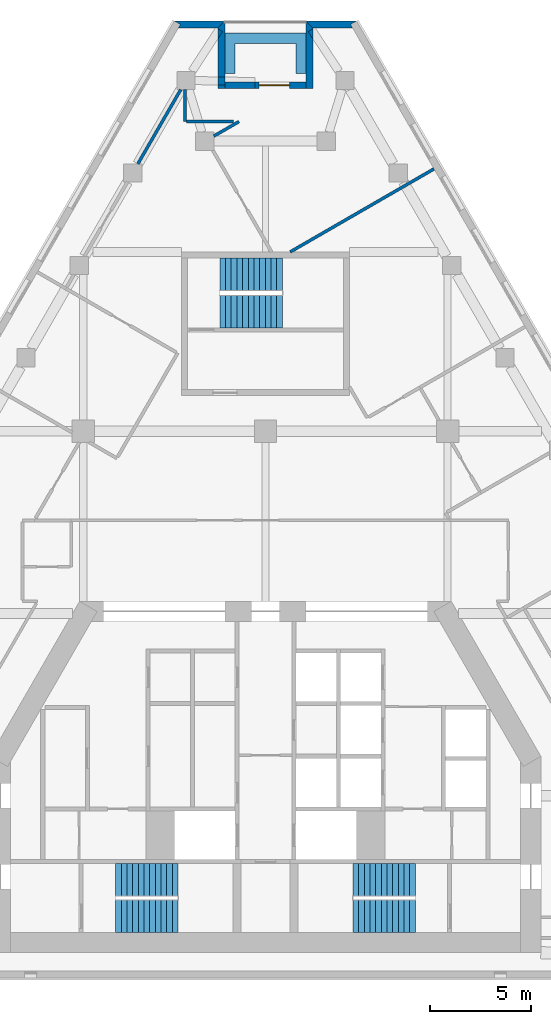
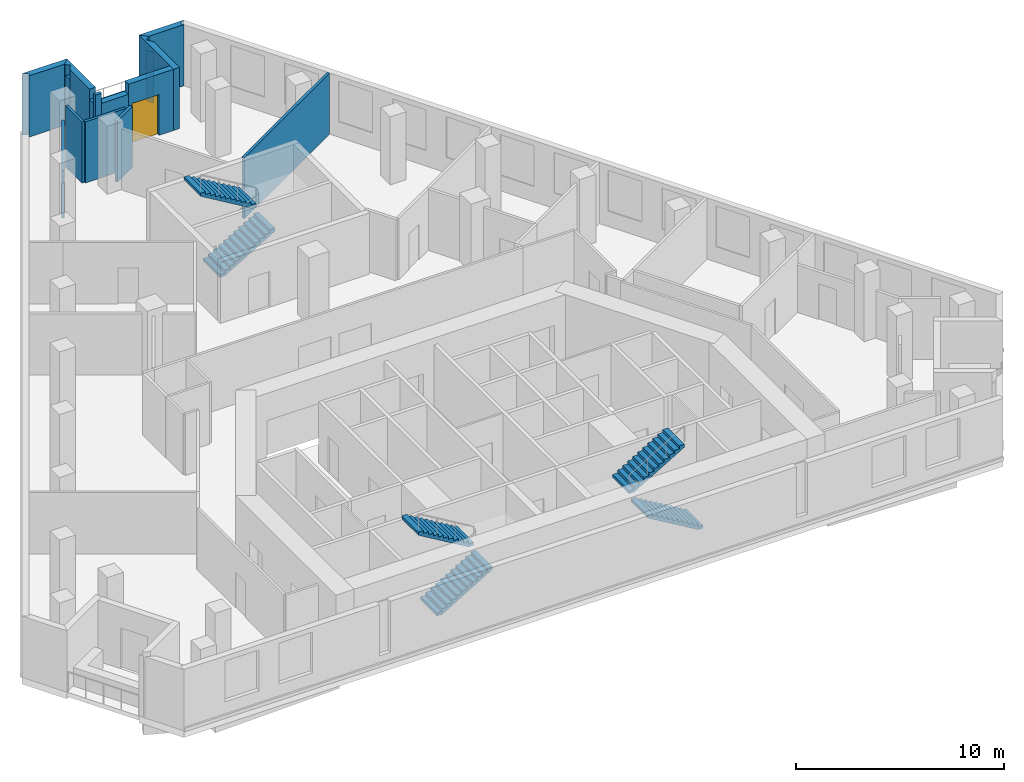
# One storey, part 8 of 9: 16 walls, 6 stair flights, 1 door, 1 opening, 3 elements without a shape of their own.
"""IFC4 building model written with IfcOpenShell, lengths in metres."""

from ifc_helpers import new_model, si_unit, direction, frame, frame_2d, origin, place, context, subcontext, project, spatial, polyline, rectangle, outline, extrude, material, layer, layer_set, type_object, element, fill, aggregate, save


model = new_model("IFC4")

# Units and contexts
model_context = context("Model", 3, precision=1e-05, world=origin(), true_north=direction((0.0, 1.0)))
body_context = subcontext(model_context, "Body", "Model", "MODEL_VIEW")
ifc_project = project(units=[si_unit("LENGTHUNIT", "METRE"), si_unit("AREAUNIT", "SQUARE_METRE"), si_unit("VOLUMEUNIT", "CUBIC_METRE"), si_unit("PLANEANGLEUNIT", "RADIAN"), si_unit("MASSUNIT", "GRAM", prefix="KILO")], contexts=[model_context])

# Site, building, storey
site_placement = place(None, origin())
site = spatial("IfcSite", under=ifc_project, at=site_placement, CompositionType="ELEMENT")
building_placement = place(site_placement, origin())
building = spatial("IfcBuilding", under=site, at=building_placement, Name="Fogline Exchange Tower", CompositionType="ELEMENT")
storey_placement = place(building_placement, frame((0.0, 0.0, 206.10009765625)))
storey = spatial("IfcBuildingStorey", under=building, at=storey_placement, Name="L46", CompositionType="ELEMENT", Elevation=206.10009765625)

# Walls
ifc_material_1 = material(Name="Brick masonry", Category="masonry")
ifc_layer_1 = layer(ifc_material_1, 0.340087890625)
ifc_layer_set_1 = layer_set([ifc_layer_1], Name="FW1")
wall_type_1 = type_object("IfcWallType", Name="FW1", PredefinedType="SOLIDWALL", material=ifc_layer_set_1)
wall_1_placement = place(storey_placement, origin())
element("IfcWall", 1, at=wall_1_placement, inside=storey, type_object=wall_type_1, Name="Brick wall L46 N-c1", PredefinedType="SOLIDWALL", context=body_context, shape_type="SweptSolid", body=[
    extrude(outline(polyline([(1.9990234375, 47.26220703125), (4.5009765625, 47.26220703125), (4.501220703125, 47.26171875), (4.206298828125, 47.09130859375), (4.3046875, 46.921142578125), (2.33984375, 46.921142578125), (1.998779296875, 47.261962890625), (1.9990234375, 47.26220703125)])), origin(), (0.0, 0.0, 1.0), 3.599853515625),
])
wall_2_placement = place(storey_placement, origin())
element("IfcWall", 2, at=wall_2_placement, inside=storey, type_object=wall_type_1, Name="Brick wall L46 N-s1", PredefinedType="SOLIDWALL", context=body_context, shape_type="SweptSolid", body=[
    extrude(outline(polyline([(2.340576171875, 46.37451171875), (2.10693359375, 46.730712890625), (2.340576171875, 46.884033203125), (2.340576171875, 46.37451171875)])), origin(), (0.0, 0.0, 1.0), 3.0),
])
wall_3_placement = place(storey_placement, origin())
element("IfcWall", 3, at=wall_3_placement, inside=storey, type_object=wall_type_1, Name="Brick wall L46 N-s1", PredefinedType="SOLIDWALL", context=body_context, shape_type="SweptSolid", body=[
    extrude(outline(polyline([(1.99951171875, 43.921142578125), (1.99951171875, 47.2626953125), (1.999755859375, 47.262939453125), (2.340576171875, 46.921875), (2.340576171875, 46.884033203125), (2.10693359375, 46.730712890625), (2.340576171875, 46.37451171875), (2.340576171875, 43.921142578125), (1.99951171875, 43.921142578125)])), origin(), (0.0, 0.0, 1.0), 3.599853515625),
])

# Wall, opening, door
wall_4_placement = place(storey_placement, frame((2.0, 44.091552734375, 0.0), z_axis=(0.0, 0.0, 1.0), x_axis=(-1.0, 0.0, 0.0)))
wall_4 = element("IfcWall", 4, at=wall_4_placement, inside=storey, type_object=wall_type_1, Name="Brick wall L46 N-bk", PredefinedType="SOLIDWALL", context=body_context, shape_type="SweptSolid", body=[
    extrude(rectangle(XDim=2.509033203125, YDim=0.340087890625, at=frame_2d((1.25439453125, 0.0))), origin(), (0.0, 0.0, 1.0), 3.599853515625),
])
opening_placement = place(wall_4_placement, frame((0.80908203125, 0.0, 0.0)))
opening = element("IfcOpeningElement", 5, at=opening_placement, cuts=wall_4, Name="Opening T15-E141", PredefinedType="OPENING", context=body_context, shape_type="SweptSolid", body=[
    extrude(rectangle(XDim=1.5, YDim=2.39990234375, at=frame_2d((0.75, 1.199951171875))), frame((0.0, 0.18017578125, 0.0), z_axis=(0.0, -1.0, 0.0), x_axis=(1.0, 0.0, 0.0)), (0.0, 0.0, 1.0), 0.360107421875),
])
ifc_material_2 = material(Name="Aluminium and glass", Category="aluminium")
door_type = type_object("IfcDoorType", Name="ED4", OperationType="SINGLE_SWING_LEFT", PredefinedType="DOOR", material=ifc_material_2)
door_placement = place(opening_placement, frame((1.5, 0.0, 0.0), z_axis=(0.0, 0.0, 1.0), x_axis=(-1.0, 0.0, 0.0)))
door = element("IfcDoor", 6, at=door_placement, inside=storey, type_object=door_type, Name="Balcony door L46 N", OperationType="DOUBLE_DOOR_SINGLE_SWING", OverallHeight=2.39990234375, OverallWidth=1.5, PredefinedType="DOOR", context=body_context, shape_type="SweptSolid", body=[
    extrude(rectangle(XDim=1.5, YDim=2.39990234375, at=frame_2d((0.75, 1.199951171875))), frame((0.0, 0.02490234375, 0.0), z_axis=(0.0, -1.0, 0.0), x_axis=(1.0, 0.0, 0.0)), (0.0, 0.0, 1.0), 0.050048828125),
])
fill(opening, door)

# Walls
wall_5_placement = place(storey_placement, frame((-0.509033203125, 44.091552734375, 0.0), z_axis=(0.0, 0.0, 1.0), x_axis=(-1.0, 0.0, 0.0)))
element("IfcWall", 7, at=wall_5_placement, inside=storey, type_object=wall_type_1, Name="Brick wall L46 N-bk", PredefinedType="SOLIDWALL", context=body_context, shape_type="SweptSolid", body=[
    extrude(rectangle(XDim=1.490966796875, YDim=0.340087890625, at=frame_2d((0.74560546875, 0.0))), origin(), (0.0, 0.0, 1.0), 3.0),
])
wall_6_placement = place(storey_placement, origin())
element("IfcWall", 8, at=wall_6_placement, inside=storey, type_object=wall_type_1, Name="Brick wall L46 N-s2", PredefinedType="SOLIDWALL", context=body_context, shape_type="SweptSolid", body=[
    extrude(outline(polyline([(-2.340576171875, 46.876953125), (-2.119873046875, 46.7333984375), (-2.340576171875, 46.393798828125), (-2.340576171875, 46.876953125)])), origin(), (0.0, 0.0, 1.0), 3.0),
])
wall_7_placement = place(storey_placement, origin())
element("IfcWall", 9, at=wall_7_placement, inside=storey, type_object=wall_type_1, Name="Brick wall L46 N-s2", PredefinedType="SOLIDWALL", context=body_context, shape_type="SweptSolid", body=[
    extrude(outline(polyline([(-2.340576171875, 44.50048828125), (-1.99951171875, 44.494873046875), (-1.99951171875, 44.0947265625), (-2.340576171875, 44.100341796875), (-2.340576171875, 44.50048828125)])), origin(), (0.0, 0.0, 1.0), 3.0),
])
wall_8_placement = place(storey_placement, origin())
element("IfcWall", 10, at=wall_8_placement, inside=storey, type_object=wall_type_1, Name="Brick wall L46 N-s2", PredefinedType="SOLIDWALL", context=body_context, shape_type="SweptSolid", body=[
    extrude(outline(polyline([(-2.340576171875, 43.921142578125), (-2.340576171875, 44.100341796875), (-1.99951171875, 44.0947265625), (-1.99951171875, 43.921142578125), (-2.340576171875, 43.921142578125)])), origin(), (0.0, 0.0, 1.0), 3.599853515625),
])
wall_9_placement = place(storey_placement, origin())
element("IfcWall", 11, at=wall_9_placement, inside=storey, type_object=wall_type_1, Name="Brick wall L46 N-s2", PredefinedType="SOLIDWALL", context=body_context, shape_type="SweptSolid", body=[
    extrude(outline(polyline([(-2.340576171875, 46.393798828125), (-2.119873046875, 46.7333984375), (-2.340576171875, 46.876953125), (-2.340576171875, 46.921875), (-1.999755859375, 47.262939453125), (-1.99951171875, 47.2626953125), (-1.99951171875, 44.494873046875), (-2.340576171875, 44.50048828125), (-2.340576171875, 46.393798828125)])), origin(), (0.0, 0.0, 1.0), 3.599853515625),
])
wall_10_placement = place(storey_placement, origin())
element("IfcWall", 12, at=wall_10_placement, inside=storey, type_object=wall_type_1, Name="Brick wall L46 N-c2", PredefinedType="SOLIDWALL", context=body_context, shape_type="SweptSolid", body=[
    extrude(outline(polyline([(-4.3046875, 46.921142578125), (-4.206298828125, 47.09130859375), (-4.501220703125, 47.26171875), (-4.5009765625, 47.26220703125), (-1.9990234375, 47.26220703125), (-1.998779296875, 47.261962890625), (-2.33984375, 46.921142578125), (-4.3046875, 46.921142578125)])), origin(), (0.0, 0.0, 1.0), 3.599853515625),
])
ifc_material_3 = material(Name="Concrete C30", Category="concrete")
ifc_layer_2 = layer(ifc_material_3, 0.199951171875)
ifc_layer_set_2 = layer_set([ifc_layer_2], Name="PL1")
wall_type_2 = type_object("IfcWallType", Name="PL1", PredefinedType="USERDEFINED", material=ifc_layer_set_2)
wall_11_placement = place(storey_placement, origin())
element("IfcWall", 13, at=wall_11_placement, inside=storey, type_object=wall_type_2, Name="PLANTER balcony L46 N", ObjectType="PLANTER", PredefinedType="USERDEFINED", context=body_context, shape_type="SweptSolid", body=[
    extrude(outline(polyline([(-1.5, 46.66162109375), (-2.0, 46.66162109375), (-2.0, 46.16162109375), (-2.0, 44.66162109375), (-1.5, 44.66162109375), (-1.5, 46.16162109375), (1.5, 46.16162109375), (1.5, 44.66162109375), (2.0, 44.66162109375), (2.0, 46.16162109375), (2.0, 46.66162109375), (1.5, 46.66162109375), (-1.5, 46.66162109375)])), origin(), (0.0, 0.0, 1.0), 1.099853515625),
])
ifc_material_4 = material(Name="Plasterboard demising partition with mineral wool and acoustic board")
ifc_layer_3 = layer(ifc_material_4, 0.14990234375)
ifc_layer_set_3 = layer_set([ifc_layer_3], Name="PW3")
wall_type_3 = type_object("IfcWallType", Name="PW3", PredefinedType="PARTITIONING", material=ifc_layer_set_3)
wall_12_placement = place(storey_placement, frame((1.22119140625, 35.85693359375, 0.0), z_axis=(0.0, 0.0, 1.0), x_axis=(0.866018040531, 0.500012753312, 0.0)))
element("IfcWall", 14, at=wall_12_placement, inside=storey, type_object=wall_type_3, Name="wall-L46-W026", PredefinedType="PARTITIONING", context=body_context, shape_type="SweptSolid", body=[
    extrude(rectangle(XDim=8.201904296875, YDim=0.14990234375, at=frame_2d((4.10107421875, 0.0))), origin(), (0.0, 0.0, 1.0), 3.599853515625),
])
wall_13_placement = place(storey_placement, frame((-2.550048828125, 41.577880859375, 0.0), z_axis=(0.0, 0.0, 1.0), x_axis=(0.866074936473, 0.499914197051, 0.0)))
element("IfcWall", 15, at=wall_13_placement, inside=storey, type_object=wall_type_3, Name="wall-L46-W030", PredefinedType="PARTITIONING", context=body_context, shape_type="SweptSolid", body=[
    extrude(rectangle(XDim=1.432861328125, YDim=0.14990234375, at=frame_2d((0.71630859375, 0.0))), origin(), (0.0, 0.0, 1.0), 3.599853515625),
])
wall_14_placement = place(storey_placement, frame((-6.29931640625, 40.210205078125, 0.0), z_axis=(0.0, 0.0, 1.0), x_axis=(0.499972045304, 0.866041542834, 0.0)))
element("IfcWall", 16, at=wall_14_placement, inside=storey, type_object=wall_type_3, Name="wall-L46-W033", PredefinedType="PARTITIONING", context=body_context, shape_type="SweptSolid", body=[
    extrude(rectangle(XDim=4.233642578125, YDim=0.14990234375, at=frame_2d((2.11669921875, 0.0))), origin(), (0.0, 0.0, 1.0), 2.7998046875),
])
wall_15_placement = place(storey_placement, frame((-3.967529296875, 43.876708984375, 0.0), z_axis=(0.0, 0.0, 1.0), x_axis=(0.0, -1.0, 0.0)))
element("IfcWall", 17, at=wall_15_placement, inside=storey, type_object=wall_type_3, Name="wall-L46-W034", PredefinedType="PARTITIONING", context=body_context, shape_type="SweptSolid", body=[
    extrude(rectangle(XDim=1.58251953125, YDim=0.14990234375, at=frame_2d((0.791259765625, 0.0))), origin(), (0.0, 0.0, 1.0), 3.599853515625),
])
wall_16_placement = place(storey_placement, frame((-3.892578125, 42.294189453125, 0.0), z_axis=(0.0, 0.0, 1.0), x_axis=(1.0, 0.0, 0.0)))
element("IfcWall", 18, at=wall_16_placement, inside=storey, type_object=wall_type_3, Name="wall-L46-W035", PredefinedType="PARTITIONING", context=body_context, shape_type="SweptSolid", body=[
    extrude(rectangle(XDim=2.302978515625, YDim=0.14990234375, at=frame_2d((1.1513671875, 0.0))), origin(), (0.0, 0.0, 1.0), 3.599853515625),
])

# Stair, stair flights
ifc_material_5 = material(Name="Concrete C40", Category="concrete")
stair_type = type_object("IfcStairType", Name="STR24-1667", PredefinedType="HALF_TURN_STAIR", material=ifc_material_5)
stair_1_placement = place(storey_placement, origin())
stair_1 = element("IfcStair", 19, at=stair_1_placement, inside=storey, type_object=stair_type, Name="Stair ST1", PredefinedType="HALF_TURN_STAIR")
stair_flight_type = type_object("IfcStairFlightType", Name="SF12-1667", PredefinedType="STRAIGHT", material=ifc_material_5)
stair_flight_1_placement = place(storey_placement, frame((-7.39990234375, 3.050048828125, 0.0), z_axis=(0.0, 0.0, 1.0), x_axis=(1.0, 0.0, 0.0)))
stair_flight_1 = element("IfcStairFlight", 20, at=stair_flight_1_placement, type_object=stair_flight_type, Name="ST1 flight 1", NumberOfRisers=12, NumberOfTreads=11, PredefinedType="STRAIGHT", RiserHeight=0.166666667, TreadLength=0.28, context=body_context, shape_type="SweptSolid", body=[
    extrude(outline(polyline([(0.0, 0.0), (0.0, 0.166748046875), (0.280029296875, 0.166748046875), (0.280029296875, 0.333251953125), (0.56005859375, 0.333251953125), (0.56005859375, 0.5), (0.840087890625, 0.5), (0.840087890625, 0.666748046875), (1.1201171875, 0.666748046875), (1.1201171875, 0.833251953125), (1.39990234375, 0.833251953125), (1.39990234375, 1.0), (1.679931640625, 1.0), (1.679931640625, 1.166748046875), (1.9599609375, 1.166748046875), (1.9599609375, 1.333251953125), (2.239990234375, 1.333251953125), (2.239990234375, 1.5), (2.52001953125, 1.5), (2.52001953125, 1.666748046875), (2.800048828125, 1.666748046875), (2.800048828125, 1.833251953125), (3.080078125, 1.833251953125), (3.080078125, 2.0), (3.080078125, 1.658935546875), (0.29296875, 0.0), (0.0, 0.0)])), frame((0.0, 0.800048828125, 0.0), z_axis=(0.0, -1.0, 0.0), x_axis=(1.0, 0.0, 0.0)), (0.0, 0.0, 1.0), 1.60009765625),
])
stair_flight_2_placement = place(storey_placement, frame((-4.320068359375, 4.85009765625, 2.0), z_axis=(0.0, 0.0, 1.0), x_axis=(-1.0, 0.0, 0.0)))
stair_flight_2 = element("IfcStairFlight", 21, at=stair_flight_2_placement, type_object=stair_flight_type, Name="ST1 flight 2", NumberOfRisers=12, NumberOfTreads=11, PredefinedType="STRAIGHT", RiserHeight=0.166666667, TreadLength=0.28, context=body_context, shape_type="SweptSolid", body=[
    extrude(outline(polyline([(0.0, 0.0), (0.0, 0.166748046875), (0.280029296875, 0.166748046875), (0.280029296875, 0.333251953125), (0.56005859375, 0.333251953125), (0.56005859375, 0.5), (0.840087890625, 0.5), (0.840087890625, 0.666748046875), (1.1201171875, 0.666748046875), (1.1201171875, 0.833251953125), (1.39990234375, 0.833251953125), (1.39990234375, 1.0), (1.679931640625, 1.0), (1.679931640625, 1.166748046875), (1.9599609375, 1.166748046875), (1.9599609375, 1.333251953125), (2.239990234375, 1.333251953125), (2.239990234375, 1.5), (2.52001953125, 1.5), (2.52001953125, 1.666748046875), (2.800048828125, 1.666748046875), (2.800048828125, 1.833251953125), (3.080078125, 1.833251953125), (3.080078125, 2.0), (3.080078125, 1.658935546875), (0.29296875, 0.0), (0.0, 0.0)])), frame((0.0, 0.800048828125, 0.0), z_axis=(0.0, -1.0, 0.0), x_axis=(1.0, 0.0, 0.0)), (0.0, 0.0, 1.0), 1.60009765625),
])
aggregate(stair_1, [stair_flight_1, stair_flight_2])

stair_2_placement = place(storey_placement, origin())
stair_2 = element("IfcStair", 22, at=stair_2_placement, inside=storey, type_object=stair_type, Name="Stair ST2", PredefinedType="HALF_TURN_STAIR")
stair_flight_3_placement = place(storey_placement, frame((7.39990234375, 3.050048828125, 0.0), z_axis=(0.0, 0.0, 1.0), x_axis=(-1.0, 0.0, 0.0)))
stair_flight_3 = element("IfcStairFlight", 23, at=stair_flight_3_placement, type_object=stair_flight_type, Name="ST2 flight 1", NumberOfRisers=12, NumberOfTreads=11, PredefinedType="STRAIGHT", RiserHeight=0.166666667, TreadLength=0.28, context=body_context, shape_type="SweptSolid", body=[
    extrude(outline(polyline([(0.0, 0.0), (0.0, 0.166748046875), (0.280029296875, 0.166748046875), (0.280029296875, 0.333251953125), (0.56005859375, 0.333251953125), (0.56005859375, 0.5), (0.840087890625, 0.5), (0.840087890625, 0.666748046875), (1.1201171875, 0.666748046875), (1.1201171875, 0.833251953125), (1.39990234375, 0.833251953125), (1.39990234375, 1.0), (1.679931640625, 1.0), (1.679931640625, 1.166748046875), (1.9599609375, 1.166748046875), (1.9599609375, 1.333251953125), (2.239990234375, 1.333251953125), (2.239990234375, 1.5), (2.52001953125, 1.5), (2.52001953125, 1.666748046875), (2.800048828125, 1.666748046875), (2.800048828125, 1.833251953125), (3.080078125, 1.833251953125), (3.080078125, 2.0), (3.080078125, 1.658935546875), (0.29296875, 0.0), (0.0, 0.0)])), frame((0.0, 0.800048828125, 0.0), z_axis=(0.0, -1.0, 0.0), x_axis=(1.0, 0.0, 0.0)), (0.0, 0.0, 1.0), 1.60009765625),
])
stair_flight_4_placement = place(storey_placement, frame((4.320068359375, 4.85009765625, 2.0), z_axis=(0.0, 0.0, 1.0), x_axis=(1.0, 0.0, 0.0)))
stair_flight_4 = element("IfcStairFlight", 24, at=stair_flight_4_placement, type_object=stair_flight_type, Name="ST2 flight 2", NumberOfRisers=12, NumberOfTreads=11, PredefinedType="STRAIGHT", RiserHeight=0.166666667, TreadLength=0.28, context=body_context, shape_type="SweptSolid", body=[
    extrude(outline(polyline([(0.0, 0.0), (0.0, 0.166748046875), (0.280029296875, 0.166748046875), (0.280029296875, 0.333251953125), (0.56005859375, 0.333251953125), (0.56005859375, 0.5), (0.840087890625, 0.5), (0.840087890625, 0.666748046875), (1.1201171875, 0.666748046875), (1.1201171875, 0.833251953125), (1.39990234375, 0.833251953125), (1.39990234375, 1.0), (1.679931640625, 1.0), (1.679931640625, 1.166748046875), (1.9599609375, 1.166748046875), (1.9599609375, 1.333251953125), (2.239990234375, 1.333251953125), (2.239990234375, 1.5), (2.52001953125, 1.5), (2.52001953125, 1.666748046875), (2.800048828125, 1.666748046875), (2.800048828125, 1.833251953125), (3.080078125, 1.833251953125), (3.080078125, 2.0), (3.080078125, 1.658935546875), (0.29296875, 0.0), (0.0, 0.0)])), frame((0.0, 0.800048828125, 0.0), z_axis=(0.0, -1.0, 0.0), x_axis=(1.0, 0.0, 0.0)), (0.0, 0.0, 1.0), 1.60009765625),
])
aggregate(stair_2, [stair_flight_3, stair_flight_4])

stair_3_placement = place(storey_placement, origin())
stair_3 = element("IfcStair", 25, at=stair_3_placement, inside=storey, type_object=stair_type, Name="Stair ST3", PredefinedType="HALF_TURN_STAIR")
stair_flight_5_placement = place(storey_placement, frame((-2.25, 32.906982421875, 0.0), z_axis=(0.0, 0.0, 1.0), x_axis=(1.0, 0.0, 0.0)))
stair_flight_5 = element("IfcStairFlight", 26, at=stair_flight_5_placement, type_object=stair_flight_type, Name="ST3 flight 1", NumberOfRisers=12, NumberOfTreads=11, PredefinedType="STRAIGHT", RiserHeight=0.166666667, TreadLength=0.28, context=body_context, shape_type="SweptSolid", body=[
    extrude(outline(polyline([(0.0, 0.0), (0.0, 0.166748046875), (0.280029296875, 0.166748046875), (0.280029296875, 0.333251953125), (0.56005859375, 0.333251953125), (0.56005859375, 0.5), (0.840087890625, 0.5), (0.840087890625, 0.666748046875), (1.1201171875, 0.666748046875), (1.1201171875, 0.833251953125), (1.39990234375, 0.833251953125), (1.39990234375, 1.0), (1.679931640625, 1.0), (1.679931640625, 1.166748046875), (1.9599609375, 1.166748046875), (1.9599609375, 1.333251953125), (2.239990234375, 1.333251953125), (2.239990234375, 1.5), (2.52001953125, 1.5), (2.52001953125, 1.666748046875), (2.800048828125, 1.666748046875), (2.800048828125, 1.833251953125), (3.080078125, 1.833251953125), (3.080078125, 2.0), (3.080078125, 1.658935546875), (0.29296875, 0.0), (0.0, 0.0)])), frame((0.0, 0.800048828125, 0.0), z_axis=(0.0, -1.0, 0.0), x_axis=(1.0, 0.0, 0.0)), (0.0, 0.0, 1.0), 1.60009765625),
])
stair_flight_6_placement = place(storey_placement, frame((0.830078125, 34.757080078125, 2.0), z_axis=(0.0, 0.0, 1.0), x_axis=(-1.0, 0.0, 0.0)))
stair_flight_6 = element("IfcStairFlight", 27, at=stair_flight_6_placement, type_object=stair_flight_type, Name="ST3 flight 2", NumberOfRisers=12, NumberOfTreads=11, PredefinedType="STRAIGHT", RiserHeight=0.166666667, TreadLength=0.28, context=body_context, shape_type="SweptSolid", body=[
    extrude(outline(polyline([(0.0, 0.0), (0.0, 0.166748046875), (0.280029296875, 0.166748046875), (0.280029296875, 0.333251953125), (0.56005859375, 0.333251953125), (0.56005859375, 0.5), (0.840087890625, 0.5), (0.840087890625, 0.666748046875), (1.1201171875, 0.666748046875), (1.1201171875, 0.833251953125), (1.39990234375, 0.833251953125), (1.39990234375, 1.0), (1.679931640625, 1.0), (1.679931640625, 1.166748046875), (1.9599609375, 1.166748046875), (1.9599609375, 1.333251953125), (2.239990234375, 1.333251953125), (2.239990234375, 1.5), (2.52001953125, 1.5), (2.52001953125, 1.666748046875), (2.800048828125, 1.666748046875), (2.800048828125, 1.833251953125), (3.080078125, 1.833251953125), (3.080078125, 2.0), (3.080078125, 1.658935546875), (0.29296875, 0.0), (0.0, 0.0)])), frame((0.0, 0.800048828125, 0.0), z_axis=(0.0, -1.0, 0.0), x_axis=(1.0, 0.0, 0.0)), (0.0, 0.0, 1.0), 1.60009765625),
])
aggregate(stair_3, [stair_flight_5, stair_flight_6])

save(model, "model.ifc")
